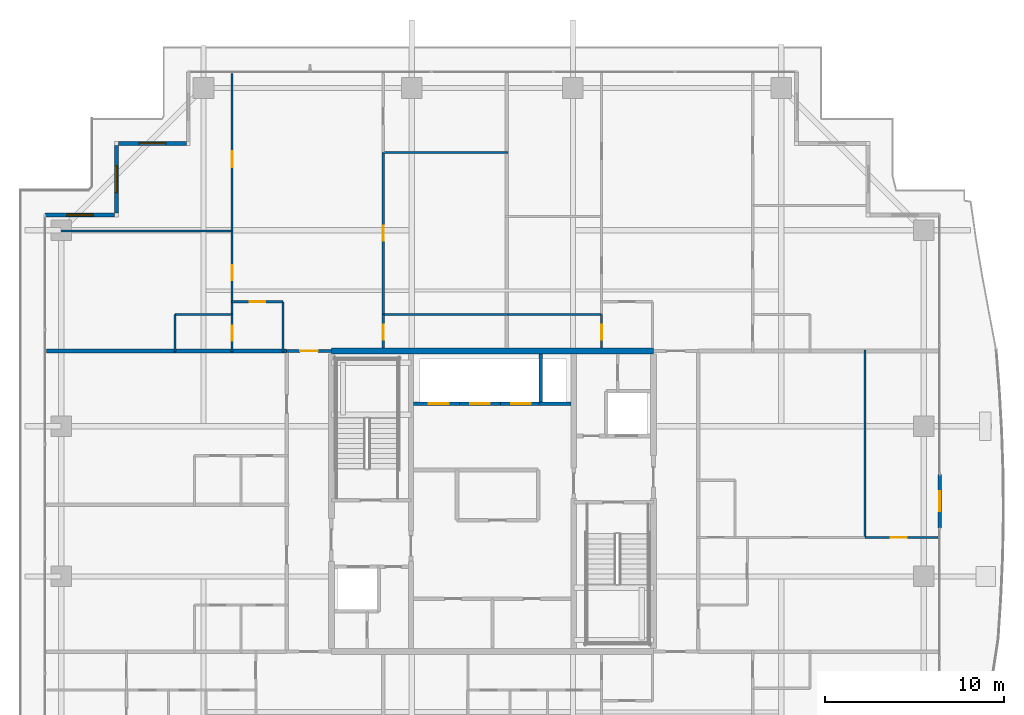
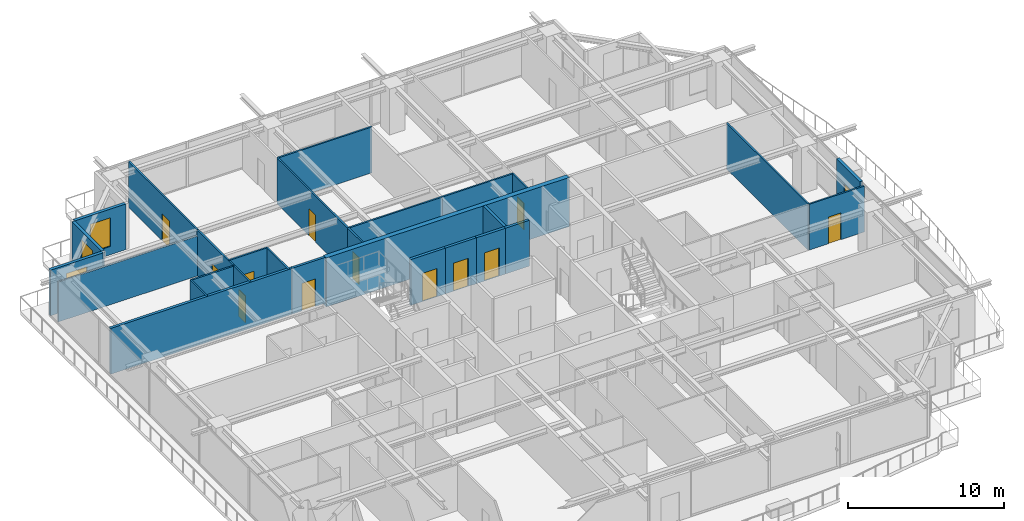
# One storey, part 29 of 37: 28 walls, 13 doors, 3 windows, 16 openings.
"""IFC4 building model written with IfcOpenShell, lengths in metres."""

from ifc_helpers import new_model, si_unit, direction, frame, frame_2d, origin, place, context, subcontext, project, spatial, rectangle, extrude, source, transform, mapped, material, layer, layer_set, type_object, element, fill, save


model = new_model("IFC4")

# Units and contexts
model_context = context("Model", 3, precision=1e-05, world=origin(), true_north=direction((0.0, 1.0)))
body_context = subcontext(model_context, "Body", "Model", "MODEL_VIEW")
ifc_project = project(units=[si_unit("LENGTHUNIT", "METRE"), si_unit("AREAUNIT", "SQUARE_METRE"), si_unit("VOLUMEUNIT", "CUBIC_METRE"), si_unit("PLANEANGLEUNIT", "RADIAN"), si_unit("MASSUNIT", "GRAM", prefix="KILO")], contexts=[model_context])

# Site, building, storey
site_placement = place(None, origin())
site = spatial("IfcSite", under=ifc_project, at=site_placement, CompositionType="ELEMENT")
building_placement = place(site_placement, origin())
building = spatial("IfcBuilding", under=site, at=building_placement, Name="Serunith Strait Residences", CompositionType="ELEMENT")
storey_placement = place(building_placement, frame((0.0, 0.0, 275.89990234375)))
storey = spatial("IfcBuildingStorey", under=building, at=storey_placement, Name="L69", CompositionType="ELEMENT", Elevation=275.89990234375)

# Wall, opening, door
ifc_material_1 = material(Name="Pale-Champagne Aluminium Insulated Panel", Category="aluminium")
ifc_layer_1 = layer(ifc_material_1, 0.219970703125, Name="Pale-Champagne Aluminium Insulated Panel")
ifc_layer_set_1 = layer_set([ifc_layer_1], Name="Pale-Champagne Aluminium Insulated Panel")
wall_type_1 = type_object("IfcWallType", Name="EW-ALUM-220", PredefinedType="ELEMENTEDWALL", material=ifc_layer_set_1)
wall_1_placement = place(storey_placement, frame((57.39990234375, 23.699951171875, 0.0), z_axis=(0.0, 0.0, 1.0), x_axis=(0.0, 1.0, 0.0)))
wall_1 = element("IfcWall", 1, at=wall_1_placement, inside=storey, type_object=wall_type_1, Name="L69 E Facade Pier Wall", PredefinedType="ELEMENTEDWALL", context=body_context, shape_type="SweptSolid", body=[
    extrude(rectangle(XDim=3.0, YDim=0.219970703125, at=frame_2d((1.5, 0.0))), origin(), (0.0, 0.0, 1.0), 3.5751953125),
])
opening_1_placement = place(wall_1_placement, frame((0.949951171875, 0.0, 0.0)))
opening_1 = element("IfcOpeningElement", 2, at=opening_1_placement, cuts=wall_1, Name="Opening ED-03", PredefinedType="OPENING", context=body_context, shape_type="SweptSolid", body=[
    extrude(rectangle(XDim=1.10009765625, YDim=2.199951171875, at=frame_2d((0.550048828125, 1.10009765625))), frame((0.0, 0.1201171875, 0.0), z_axis=(0.0, -1.0, 0.0), x_axis=(1.0, 0.0, 0.0)), (0.0, 0.0, 1.0), 0.239990234375),
])
ifc_material_2 = material(Name="Thermally-Broken Aluminium Glazed Balcony Door", Category="aluminium")
door_type_1 = type_object("IfcDoorType", Name="ED-BALC-1100", OperationType="NOTDEFINED", PredefinedType="DOOR", material=ifc_material_2)
shared_shape_1 = source(origin(), body_context, "Body", "SweptSolid", [
    extrude(rectangle(XDim=1.10009765625, YDim=2.199951171875, at=frame_2d((0.550048828125, 1.10009765625))), frame((0.0, 0.02490234375, 0.0), z_axis=(0.0, -1.0, 0.0), x_axis=(1.0, 0.0, 0.0)), (0.0, 0.0, 1.0), 0.050048828125),
])
door_1_placement = place(opening_1_placement, origin())
door_1 = element("IfcDoor", 3, at=door_1_placement, inside=storey, type_object=door_type_1, Name="L69 E Vertical-Forest Balcony Door", OperationType="SINGLE_SWING_RIGHT", OverallHeight=2.199951171875, OverallWidth=1.10009765625, PredefinedType="DOOR", context=body_context, shape_type="MappedRepresentation", body=[
    mapped(shared_shape_1, transform((0.0, 0.0, 0.0), scale=1.0)),
])
fill(opening_1, door_1)

# Wall, opening, window
wall_2_placement = place(storey_placement, frame((15.2900390625, 45.199951171875, 0.0), z_axis=(0.0, 0.0, 1.0), x_axis=(-1.0, 0.0, 0.0)))
wall_2 = element("IfcWall", 4, at=wall_2_placement, inside=storey, type_object=wall_type_1, Name="L69 Girih Serrated Corner Wall 13", PredefinedType="ELEMENTEDWALL", context=body_context, shape_type="SweptSolid", body=[
    extrude(rectangle(XDim=3.780029296875, YDim=0.219970703125, at=frame_2d((1.89013671875, 0.0))), origin(), (0.0, 0.0, 1.0), 3.5751953125),
])
opening_2_placement = place(wall_2_placement, frame((1.139892578125, 0.0, 0.64990234375)))
opening_2 = element("IfcOpeningElement", 5, at=opening_2_placement, cuts=wall_2, Name="Opening W-05", PredefinedType="OPENING", context=body_context, shape_type="SweptSolid", body=[
    extrude(rectangle(XDim=1.5, YDim=2.25, at=frame_2d((0.75, 1.125))), frame((0.0, 0.1201171875, 0.0), z_axis=(0.0, -1.0, 0.0), x_axis=(1.0, 0.0, 0.0)), (0.0, 0.0, 1.0), 0.239990234375),
])
ifc_material_3 = material(Name="Ceramic-Fritted Operable Aluminium Window Glass", Category="aluminium")
window_type = type_object("IfcWindowType", Name="WIN-C5", PartitioningType="DOUBLE_PANEL_VERTICAL", PredefinedType="WINDOW", material=ifc_material_3)
shared_shape_2 = source(origin(), body_context, "Body", "SweptSolid", [
    extrude(rectangle(XDim=1.5, YDim=2.25, at=frame_2d((0.75, 1.125))), frame((0.0, 0.030029296875, 0.0), z_axis=(0.0, -1.0, 0.0), x_axis=(1.0, 0.0, 0.0)), (0.0, 0.0, 1.0), 0.06005859375),
])
window_1_placement = place(opening_2_placement, origin())
window_1 = element("IfcWindow", 6, at=window_1_placement, inside=storey, type_object=window_type, Name="L69 Corner Operable Fritted Window 13", OverallHeight=2.25, OverallWidth=1.5, PartitioningType="SINGLE_PANEL", PredefinedType="WINDOW", context=body_context, shape_type="MappedRepresentation", body=[
    mapped(shared_shape_2, transform((0.0, 0.0, 0.0), scale=1.0)),
])
fill(opening_2, window_1)

wall_3_placement = place(storey_placement, frame((11.39990234375, 45.090087890625, 0.0), z_axis=(0.0, 0.0, 1.0), x_axis=(0.0, -1.0, 0.0)))
wall_3 = element("IfcWall", 7, at=wall_3_placement, inside=storey, type_object=wall_type_1, Name="L69 Girih Serrated Corner Wall 14", PredefinedType="ELEMENTEDWALL", context=body_context, shape_type="SweptSolid", body=[
    extrude(rectangle(XDim=3.780029296875, YDim=0.219970703125, at=frame_2d((1.89013671875, 0.0))), origin(), (0.0, 0.0, 1.0), 3.5751953125),
])
opening_3_placement = place(wall_3_placement, frame((1.139892578125, 0.0, 0.64990234375)))
opening_3 = element("IfcOpeningElement", 8, at=opening_3_placement, cuts=wall_3, Name="Opening W-05", PredefinedType="OPENING", context=body_context, shape_type="SweptSolid", body=[
    extrude(rectangle(XDim=1.5, YDim=2.25, at=frame_2d((0.75, 1.125))), frame((0.0, 0.1201171875, 0.0), z_axis=(0.0, -1.0, 0.0), x_axis=(1.0, 0.0, 0.0)), (0.0, 0.0, 1.0), 0.239990234375),
])
window_2_placement = place(opening_3_placement, origin())
window_2 = element("IfcWindow", 9, at=window_2_placement, inside=storey, type_object=window_type, Name="L69 Corner Operable Fritted Window 14", OverallHeight=2.25, OverallWidth=1.5, PartitioningType="SINGLE_PANEL", PredefinedType="WINDOW", context=body_context, shape_type="MappedRepresentation", body=[
    mapped(shared_shape_2, transform((0.0, 0.0, 0.0), scale=1.0)),
])
fill(opening_3, window_2)

wall_4_placement = place(storey_placement, frame((11.2900390625, 41.199951171875, 0.0), z_axis=(0.0, 0.0, 1.0), x_axis=(-1.0, 0.0, 0.0)))
wall_4 = element("IfcWall", 10, at=wall_4_placement, inside=storey, type_object=wall_type_1, Name="L69 Girih Serrated Corner Wall 15", PredefinedType="ELEMENTEDWALL", context=body_context, shape_type="SweptSolid", body=[
    extrude(rectangle(XDim=3.89013671875, YDim=0.219970703125, at=frame_2d((1.945068359375, 0.0))), origin(), (0.0, 0.0, 1.0), 3.5751953125),
])
opening_4_placement = place(wall_4_placement, frame((1.195068359375, 0.0, 0.64990234375)))
opening_4 = element("IfcOpeningElement", 11, at=opening_4_placement, cuts=wall_4, Name="Opening W-05", PredefinedType="OPENING", context=body_context, shape_type="SweptSolid", body=[
    extrude(rectangle(XDim=1.5, YDim=2.25, at=frame_2d((0.75, 1.125))), frame((0.0, 0.1201171875, 0.0), z_axis=(0.0, -1.0, 0.0), x_axis=(1.0, 0.0, 0.0)), (0.0, 0.0, 1.0), 0.239990234375),
])
window_3_placement = place(opening_4_placement, origin())
window_3 = element("IfcWindow", 12, at=window_3_placement, inside=storey, type_object=window_type, Name="L69 Corner Operable Fritted Window 15", OverallHeight=2.25, OverallWidth=1.5, PartitioningType="SINGLE_PANEL", PredefinedType="WINDOW", context=body_context, shape_type="MappedRepresentation", body=[
    mapped(shared_shape_2, transform((0.0, 0.0, 0.0), scale=1.0)),
])
fill(opening_4, window_3)

# Wall, opening, door
ifc_material_4 = material(Name="Fire-rated acoustic gypsum partition")
ifc_layer_2 = layer(ifc_material_4, 0.179931640625, Name="Fire-rated acoustic gypsum partition")
ifc_layer_set_2 = layer_set([ifc_layer_2], Name="Fire-rated acoustic gypsum partition")
wall_type_2 = type_object("IfcWallType", Name="IW-CORR-180", PredefinedType="PARTITIONING", material=ifc_layer_set_2)
wall_5_placement = place(storey_placement, frame((20.902099609375, 33.60009765625, 0.0), z_axis=(0.0, 0.0, 1.0), x_axis=(1.0, 0.0, 0.0)))
wall_5 = element("IfcWall", 13, at=wall_5_placement, inside=storey, type_object=wall_type_2, Name="L69 Partition Wall 028", PredefinedType="PARTITIONING", context=body_context, shape_type="SweptSolid", body=[
    extrude(rectangle(XDim=2.495849609375, YDim=0.179931640625, at=frame_2d((1.248046875, 0.0))), origin(), (0.0, 0.0, 1.0), 3.590087890625),
])
opening_5_placement = place(wall_5_placement, frame((0.748046875, 0.0, 0.0)))
opening_5 = element("IfcOpeningElement", 14, at=opening_5_placement, cuts=wall_5, Name="Opening D-APT1000", PredefinedType="OPENING", context=body_context, shape_type="SweptSolid", body=[
    extrude(rectangle(XDim=1.0, YDim=2.14990234375, at=frame_2d((0.5, 1.074951171875))), frame((0.0, 0.10009765625, 0.0), z_axis=(0.0, -1.0, 0.0), x_axis=(1.0, 0.0, 0.0)), (0.0, 0.0, 1.0), 0.199951171875),
])
ifc_material_5 = material(Name="Solid timber engineered fire door", Category="wood")
door_type_2 = type_object("IfcDoorType", Name="ID-APT-1000", OperationType="NOTDEFINED", PredefinedType="DOOR", material=ifc_material_5)
shared_shape_3 = source(origin(), body_context, "Body", "SweptSolid", [
    extrude(rectangle(XDim=1.0, YDim=2.14990234375, at=frame_2d((0.5, 1.074951171875))), frame((0.0, 0.02490234375, 0.0), z_axis=(0.0, -1.0, 0.0), x_axis=(1.0, 0.0, 0.0)), (0.0, 0.0, 1.0), 0.050048828125),
])
door_2_placement = place(opening_5_placement, origin())
door_2 = element("IfcDoor", 15, at=door_2_placement, inside=storey, type_object=door_type_2, Name="L69 Unit 03 Entrance Door", OperationType="SINGLE_SWING_RIGHT", OverallHeight=2.14990234375, OverallWidth=1.0, PredefinedType="DOOR", context=body_context, shape_type="MappedRepresentation", body=[
    mapped(shared_shape_3, transform((0.0, 0.0, 0.0), scale=1.0)),
])
fill(opening_5, door_2)

ifc_material_6 = material(Name="Lightweight steel-stud gypsum partition", Category="steel")
ifc_layer_3 = layer(ifc_material_6, 0.1201171875, Name="Lightweight steel-stud gypsum partition")
ifc_layer_set_3 = layer_set([ifc_layer_3], Name="Lightweight steel-stud gypsum partition")
wall_type_3 = type_object("IfcWallType", Name="IW-PART-120", PredefinedType="PARTITIONING", material=ifc_layer_set_3)
wall_6_placement = place(storey_placement, frame((17.85009765625, 36.35009765625, 0.0), z_axis=(0.0, 0.0, 1.0), x_axis=(1.0, 0.0, 0.0)))
wall_6 = element("IfcWall", 16, at=wall_6_placement, inside=storey, type_object=wall_type_3, Name="L69 Partition Wall 068", PredefinedType="PARTITIONING", context=body_context, shape_type="SweptSolid", body=[
    extrude(rectangle(XDim=2.849853515625, YDim=0.1201171875, at=frame_2d((1.4248046875, 0.0))), origin(), (0.0, 0.0, 1.0), 3.590087890625),
])
opening_6_placement = place(wall_6_placement, frame((1.0, 0.0, 0.0)))
opening_6 = element("IfcOpeningElement", 17, at=opening_6_placement, cuts=wall_6, Name="Opening D-RM850", PredefinedType="OPENING", context=body_context, shape_type="SweptSolid", body=[
    extrude(rectangle(XDim=0.85009765625, YDim=2.10009765625, at=frame_2d((0.425048828125, 1.050048828125))), frame((0.0, 0.070068359375, 0.0), z_axis=(0.0, -1.0, 0.0), x_axis=(1.0, 0.0, 0.0)), (0.0, 0.0, 1.0), 0.14013671875),
])
ifc_material_7 = material(Name="Engineered timber flush study and kitchen door", Category="wood")
door_type_3 = type_object("IfcDoorType", Name="ID-ROOM-850", OperationType="NOTDEFINED", PredefinedType="DOOR", material=ifc_material_7)
shared_shape_4 = source(origin(), body_context, "Body", "SweptSolid", [
    extrude(rectangle(XDim=0.85009765625, YDim=2.10009765625, at=frame_2d((0.425048828125, 1.050048828125))), frame((0.0, 0.02490234375, 0.0), z_axis=(0.0, -1.0, 0.0), x_axis=(1.0, 0.0, 0.0)), (0.0, 0.0, 1.0), 0.050048828125),
])
door_3_placement = place(opening_6_placement, origin())
door_3 = element("IfcDoor", 18, at=door_3_placement, inside=storey, type_object=door_type_3, Name="L69 Kitchen 6903 Door", OperationType="SINGLE_SWING_RIGHT", OverallHeight=2.10009765625, OverallWidth=0.85009765625, PredefinedType="DOOR", context=body_context, shape_type="MappedRepresentation", body=[
    mapped(shared_shape_4, transform((0.0, 0.0, 0.0), scale=1.0)),
])
fill(opening_6, door_3)

# Wall
wall_7_placement = place(storey_placement, frame((20.699951171875, 36.35009765625, 0.0), z_axis=(0.0, 0.0, 1.0), x_axis=(0.0, -1.0, 0.0)))
element("IfcWall", 19, at=wall_7_placement, inside=storey, type_object=wall_type_3, Name="L69 Partition Wall 069", PredefinedType="PARTITIONING", context=body_context, shape_type="SweptSolid", body=[
    extrude(rectangle(XDim=2.81005859375, YDim=0.1201171875, at=frame_2d((1.405029296875, 0.0))), origin(), (0.0, 0.0, 1.0), 3.590087890625),
])

# Wall, opening, door
wall_8_placement = place(storey_placement, frame((17.85009765625, 49.10498046875, 0.0), z_axis=(0.0, 0.0, 1.0), x_axis=(0.0, -1.0, 0.0)))
wall_8 = element("IfcWall", 20, at=wall_8_placement, inside=storey, type_object=wall_type_3, Name="L69 Partition Wall 070", PredefinedType="PARTITIONING", context=body_context, shape_type="SweptSolid", body=[
    extrude(rectangle(XDim=8.799072265625, YDim=0.1201171875, at=frame_2d((4.3994140625, 0.0))), origin(), (0.0, 0.0, 1.0), 3.590087890625),
])
opening_7_placement = place(wall_8_placement, frame((4.343994140625, 0.0, 0.0)))
opening_7 = element("IfcOpeningElement", 21, at=opening_7_placement, cuts=wall_8, Name="Opening D-RM900", PredefinedType="OPENING", context=body_context, shape_type="SweptSolid", body=[
    extrude(rectangle(XDim=0.89990234375, YDim=2.10009765625, at=frame_2d((0.449951171875, 1.050048828125))), frame((0.0, 0.070068359375, 0.0), z_axis=(0.0, -1.0, 0.0), x_axis=(1.0, 0.0, 0.0)), (0.0, 0.0, 1.0), 0.14013671875),
])
ifc_material_8 = material(Name="Engineered timber flush bedroom door", Category="wood")
door_type_4 = type_object("IfcDoorType", Name="ID-ROOM-900", OperationType="NOTDEFINED", PredefinedType="DOOR", material=ifc_material_8)
shared_shape_5 = source(origin(), body_context, "Body", "SweptSolid", [
    extrude(rectangle(XDim=0.89990234375, YDim=2.10009765625, at=frame_2d((0.449951171875, 1.050048828125))), frame((0.0, 0.02490234375, 0.0), z_axis=(0.0, -1.0, 0.0), x_axis=(1.0, 0.0, 0.0)), (0.0, 0.0, 1.0), 0.050048828125),
])
door_4_placement = place(opening_7_placement, origin())
door_4 = element("IfcDoor", 22, at=door_4_placement, inside=storey, type_object=door_type_4, Name="L69 Master Bedroom 1 6903 Door", OperationType="SINGLE_SWING_LEFT", OverallHeight=2.10009765625, OverallWidth=0.89990234375, PredefinedType="DOOR", context=body_context, shape_type="MappedRepresentation", body=[
    mapped(shared_shape_5, transform((0.0, 0.0, 0.0), scale=1.0)),
])
fill(opening_7, door_4)

# Walls
wall_9_placement = place(storey_placement, frame((7.4951171875, 40.305908203125, 0.0), z_axis=(0.0, 0.0, 1.0), x_axis=(1.0, 0.0, 0.0)))
element("IfcWall", 23, at=wall_9_placement, inside=storey, type_object=wall_type_3, Name="L69 Partition Wall 071", PredefinedType="PARTITIONING", context=body_context, shape_type="SweptSolid", body=[
    extrude(rectangle(XDim=10.35498046875, YDim=0.1201171875, at=frame_2d((5.177490234375, 0.0))), origin(), (0.0, 0.0, 1.0), 3.1220703125),
])
wall_10_placement = place(storey_placement, frame((14.64990234375, 35.64990234375, 0.0), z_axis=(0.0, 0.0, 1.0), x_axis=(1.0, 0.0, 0.0)))
element("IfcWall", 24, at=wall_10_placement, inside=storey, type_object=wall_type_3, Name="L69 Partition Wall 072", PredefinedType="PARTITIONING", context=body_context, shape_type="SweptSolid", body=[
    extrude(rectangle(XDim=3.2001953125, YDim=0.1201171875, at=frame_2d((1.60009765625, 0.0))), origin(), (0.0, 0.0, 1.0), 3.590087890625),
])
wall_11_placement = place(storey_placement, frame((14.64990234375, 35.64990234375, 0.0), z_axis=(0.0, 0.0, 1.0), x_axis=(0.0, -1.0, 0.0)))
element("IfcWall", 25, at=wall_11_placement, inside=storey, type_object=wall_type_3, Name="L69 Partition Wall 073", PredefinedType="PARTITIONING", context=body_context, shape_type="SweptSolid", body=[
    extrude(rectangle(XDim=2.10986328125, YDim=0.1201171875, at=frame_2d((1.054931640625, 0.0))), origin(), (0.0, 0.0, 1.0), 3.590087890625),
])

# Wall, opening, door
wall_12_placement = place(storey_placement, frame((17.85009765625, 40.303955078125, 0.0), z_axis=(0.0, 0.0, 1.0), x_axis=(0.0, -1.0, 0.0)))
wall_12 = element("IfcWall", 26, at=wall_12_placement, inside=storey, type_object=wall_type_3, Name="L69 Partition Wall 074", PredefinedType="PARTITIONING", context=body_context, shape_type="SweptSolid", body=[
    extrude(rectangle(XDim=4.654052734375, YDim=0.1201171875, at=frame_2d((2.3271484375, 0.0))), origin(), (0.0, 0.0, 1.0), 3.590087890625),
])
opening_8_placement = place(wall_12_placement, frame((1.902099609375, 0.0, 0.0)))
opening_8 = element("IfcOpeningElement", 27, at=opening_8_placement, cuts=wall_12, Name="Opening D-RM850", PredefinedType="OPENING", context=body_context, shape_type="SweptSolid", body=[
    extrude(rectangle(XDim=0.85009765625, YDim=2.10009765625, at=frame_2d((0.425048828125, 1.050048828125))), frame((0.0, 0.070068359375, 0.0), z_axis=(0.0, -1.0, 0.0), x_axis=(1.0, 0.0, 0.0)), (0.0, 0.0, 1.0), 0.14013671875),
])
door_5_placement = place(opening_8_placement, origin())
door_5 = element("IfcDoor", 28, at=door_5_placement, inside=storey, type_object=door_type_3, Name="L69 Walk-in Wardrobe 6903 Door", OperationType="SINGLE_SWING_RIGHT", OverallHeight=2.10009765625, OverallWidth=0.85009765625, PredefinedType="DOOR", context=body_context, shape_type="MappedRepresentation", body=[
    mapped(shared_shape_4, transform((0.0, 0.0, 0.0), scale=1.0)),
])
fill(opening_8, door_5)

wall_13_placement = place(storey_placement, frame((17.85009765625, 35.64794921875, 0.0), z_axis=(0.0, 0.0, 1.0), x_axis=(0.0, -1.0, 0.0)))
wall_13 = element("IfcWall", 29, at=wall_13_placement, inside=storey, type_object=wall_type_3, Name="L69 Partition Wall 075", PredefinedType="PARTITIONING", context=body_context, shape_type="SweptSolid", body=[
    extrude(rectangle(XDim=2.10791015625, YDim=0.1201171875, at=frame_2d((1.053955078125, 0.0))), origin(), (0.0, 0.0, 1.0), 3.590087890625),
])
opening_9_placement = place(wall_13_placement, frame((0.62890625, 0.0, 0.0)))
opening_9 = element("IfcOpeningElement", 30, at=opening_9_placement, cuts=wall_13, Name="Opening D-BTH850", PredefinedType="OPENING", context=body_context, shape_type="SweptSolid", body=[
    extrude(rectangle(XDim=0.85009765625, YDim=2.10009765625, at=frame_2d((0.425048828125, 1.050048828125))), frame((0.0, 0.070068359375, 0.0), z_axis=(0.0, -1.0, 0.0), x_axis=(1.0, 0.0, 0.0)), (0.0, 0.0, 1.0), 0.14013671875),
])
ifc_material_9 = material(Name="Moisture-resistant timber bathroom door", Category="wood")
door_type_5 = type_object("IfcDoorType", Name="ID-BATH-850", OperationType="NOTDEFINED", PredefinedType="DOOR", material=ifc_material_9)
door_6_placement = place(opening_9_placement, origin())
door_6 = element("IfcDoor", 31, at=door_6_placement, inside=storey, type_object=door_type_5, Name="L69 Bathroom 6903 Door", OperationType="SINGLE_SWING_LEFT", OverallHeight=2.10009765625, OverallWidth=0.85009765625, PredefinedType="DOOR", context=body_context, shape_type="MappedRepresentation", body=[
    mapped(shared_shape_4, transform((0.0, 0.0, 0.0), scale=1.0)),
])
fill(opening_9, door_6)

# Walls
for number, where, z_axis, x_axis, name in (
    (32, (26.300048828125, 44.7041015625, 0.0), (0.0, 0.0, 1.0), (1.0, 0.0, 0.0), "L69 Partition Wall 077"),
    (33, (26.300048828125, 35.64990234375, 0.0), (0.0, 0.0, 1.0), (1.0, 0.0, 0.0), "L69 Partition Wall 078"),
):
    element("IfcWall", number, at=place(storey_placement, frame(where, z_axis=z_axis, x_axis=x_axis)), inside=storey, type_object=wall_type_3, Name=name, PredefinedType="PARTITIONING", context=body_context, shape_type="SweptSolid", body=[
        extrude(rectangle(XDim=6.9599609375, YDim=0.1201171875, at=frame_2d((3.47998046875, 0.0))), origin(), (0.0, 0.0, 1.0), 3.590087890625),
    ])

# Wall, opening, door
wall_14_placement = place(storey_placement, frame((26.300048828125, 44.701904296875, 0.0), z_axis=(0.0, 0.0, 1.0), x_axis=(0.0, -1.0, 0.0)))
wall_14 = element("IfcWall", 34, at=wall_14_placement, inside=storey, type_object=wall_type_3, Name="L69 Partition Wall 079", PredefinedType="PARTITIONING", context=body_context, shape_type="SweptSolid", body=[
    extrude(rectangle(XDim=9.052001953125, YDim=0.1201171875, at=frame_2d((4.52587890625, 0.0))), origin(), (0.0, 0.0, 1.0), 3.590087890625),
])
opening_10_placement = place(wall_14_placement, frame((4.10107421875, 0.0, 0.0)))
opening_10 = element("IfcOpeningElement", 35, at=opening_10_placement, cuts=wall_14, Name="Opening D-RM850", PredefinedType="OPENING", context=body_context, shape_type="SweptSolid", body=[
    extrude(rectangle(XDim=0.85009765625, YDim=2.10009765625, at=frame_2d((0.425048828125, 1.050048828125))), frame((0.0, 0.070068359375, 0.0), z_axis=(0.0, -1.0, 0.0), x_axis=(1.0, 0.0, 0.0)), (0.0, 0.0, 1.0), 0.14013671875),
])
door_7_placement = place(opening_10_placement, origin())
door_7 = element("IfcDoor", 36, at=door_7_placement, inside=storey, type_object=door_type_3, Name="L69 Walk-in Wardrobe 6903 Door", OperationType="SINGLE_SWING_LEFT", OverallHeight=2.10009765625, OverallWidth=0.85009765625, PredefinedType="DOOR", context=body_context, shape_type="MappedRepresentation", body=[
    mapped(shared_shape_4, transform((0.0, 0.0, 0.0), scale=1.0)),
])
fill(opening_10, door_7)

wall_15_placement = place(storey_placement, frame((26.300048828125, 35.64794921875, 0.0), z_axis=(0.0, 0.0, 1.0), x_axis=(0.0, -1.0, 0.0)))
wall_15 = element("IfcWall", 37, at=wall_15_placement, inside=storey, type_object=wall_type_3, Name="L69 Partition Wall 080", PredefinedType="PARTITIONING", context=body_context, shape_type="SweptSolid", body=[
    extrude(rectangle(XDim=1.873046875, YDim=0.1201171875, at=frame_2d((0.9365234375, 0.0))), origin(), (0.0, 0.0, 1.0), 3.590087890625),
])
opening_11_placement = place(wall_15_placement, frame((0.574951171875, 0.0, 0.0)))
opening_11 = element("IfcOpeningElement", 38, at=opening_11_placement, cuts=wall_15, Name="Opening D-BTH850", PredefinedType="OPENING", context=body_context, shape_type="SweptSolid", body=[
    extrude(rectangle(XDim=0.85009765625, YDim=2.10009765625, at=frame_2d((0.425048828125, 1.050048828125))), frame((0.0, 0.070068359375, 0.0), z_axis=(0.0, -1.0, 0.0), x_axis=(1.0, 0.0, 0.0)), (0.0, 0.0, 1.0), 0.14013671875),
])
door_8_placement = place(opening_11_placement, origin())
door_8 = element("IfcDoor", 39, at=door_8_placement, inside=storey, type_object=door_type_5, Name="L69 Bathroom 6903 Door", OperationType="SINGLE_SWING_RIGHT", OverallHeight=2.10009765625, OverallWidth=0.85009765625, PredefinedType="DOOR", context=body_context, shape_type="MappedRepresentation", body=[
    mapped(shared_shape_4, transform((0.0, 0.0, 0.0), scale=1.0)),
])
fill(opening_11, door_8)

# Wall
wall_16_placement = place(storey_placement, frame((33.261962890625, 35.64990234375, 0.0), z_axis=(0.0, 0.0, 1.0), x_axis=(1.0, 0.0, 0.0)))
element("IfcWall", 40, at=wall_16_placement, inside=storey, type_object=wall_type_3, Name="L69 Partition Wall 085", PredefinedType="PARTITIONING", context=body_context, shape_type="SweptSolid", body=[
    extrude(rectangle(XDim=5.238037109375, YDim=0.1201171875, at=frame_2d((2.619140625, 0.0))), origin(), (0.0, 0.0, 1.0), 3.590087890625),
])

# Wall, opening, door
wall_17_placement = place(storey_placement, frame((38.5, 35.64794921875, 0.0), z_axis=(0.0, 0.0, 1.0), x_axis=(0.0, -1.0, 0.0)))
wall_17 = element("IfcWall", 41, at=wall_17_placement, inside=storey, type_object=wall_type_3, Name="L69 Partition Wall 087", PredefinedType="PARTITIONING", context=body_context, shape_type="SweptSolid", body=[
    extrude(rectangle(XDim=1.873046875, YDim=0.1201171875, at=frame_2d((0.9365234375, 0.0))), origin(), (0.0, 0.0, 1.0), 3.590087890625),
])
opening_12_placement = place(wall_17_placement, frame((0.574951171875, 0.0, 0.0)))
opening_12 = element("IfcOpeningElement", 42, at=opening_12_placement, cuts=wall_17, Name="Opening D-BTH850", PredefinedType="OPENING", context=body_context, shape_type="SweptSolid", body=[
    extrude(rectangle(XDim=0.85009765625, YDim=2.10009765625, at=frame_2d((0.425048828125, 1.050048828125))), frame((0.0, 0.070068359375, 0.0), z_axis=(0.0, -1.0, 0.0), x_axis=(1.0, 0.0, 0.0)), (0.0, 0.0, 1.0), 0.14013671875),
])
door_9_placement = place(opening_12_placement, origin())
door_9 = element("IfcDoor", 43, at=door_9_placement, inside=storey, type_object=door_type_5, Name="L69 Bathroom 6904 Door", OperationType="SINGLE_SWING_RIGHT", OverallHeight=2.10009765625, OverallWidth=0.85009765625, PredefinedType="DOOR", context=body_context, shape_type="MappedRepresentation", body=[
    mapped(shared_shape_4, transform((0.0, 0.0, 0.0), scale=1.0)),
])
fill(opening_12, door_9)

wall_18_placement = place(storey_placement, frame((57.304931640625, 23.179931640625, 0.0), z_axis=(0.0, 0.0, 1.0), x_axis=(-1.0, 0.0, 0.0)))
wall_18 = element("IfcWall", 44, at=wall_18_placement, inside=storey, type_object=wall_type_3, Name="L69 Partition Wall 104", PredefinedType="PARTITIONING", context=body_context, shape_type="SweptSolid", body=[
    extrude(rectangle(XDim=4.0888671875, YDim=0.1201171875, at=frame_2d((2.04443359375, 0.0))), origin(), (0.0, 0.0, 1.0), 3.590087890625),
])
opening_13_placement = place(wall_18_placement, frame((1.75390625, 0.0, 0.0)))
opening_13 = element("IfcOpeningElement", 45, at=opening_13_placement, cuts=wall_18, Name="Opening D-RM900", PredefinedType="OPENING", context=body_context, shape_type="SweptSolid", body=[
    extrude(rectangle(XDim=0.89990234375, YDim=2.10009765625, at=frame_2d((0.449951171875, 1.050048828125))), frame((0.0, 0.070068359375, 0.0), z_axis=(0.0, -1.0, 0.0), x_axis=(1.0, 0.0, 0.0)), (0.0, 0.0, 1.0), 0.14013671875),
])
door_10_placement = place(opening_13_placement, origin())
door_10 = element("IfcDoor", 46, at=door_10_placement, inside=storey, type_object=door_type_4, Name="L69 Master Bedroom 1 6907 Door", OperationType="SINGLE_SWING_LEFT", OverallHeight=2.10009765625, OverallWidth=0.89990234375, PredefinedType="DOOR", context=body_context, shape_type="MappedRepresentation", body=[
    mapped(shared_shape_5, transform((0.0, 0.0, 0.0), scale=1.0)),
])
fill(opening_13, door_10)

# Walls
wall_19_placement = place(storey_placement, frame((53.216064453125, 23.179931640625, 0.0), z_axis=(0.0, 0.0, 1.0), x_axis=(0.0, 1.0, 0.0)))
element("IfcWall", 47, at=wall_19_placement, inside=storey, type_object=wall_type_3, Name="L69 Partition Wall 105", PredefinedType="PARTITIONING", context=body_context, shape_type="SweptSolid", body=[
    extrude(rectangle(XDim=10.47998046875, YDim=0.1201171875, at=frame_2d((5.239990234375, 0.0))), origin(), (0.0, 0.0, 1.0), 3.590087890625),
])
ifc_material_10 = material(Name="Twin-stud acoustic gypsum board partition")
ifc_layer_4 = layer(ifc_material_10, 0.199951171875, Name="Twin-stud acoustic gypsum board partition")
ifc_layer_set_4 = layer_set([ifc_layer_4], Name="Twin-stud acoustic gypsum board partition")
wall_type_4 = type_object("IfcWallType", Name="IW-PARTY-200", PredefinedType="PARTITIONING", material=ifc_layer_set_4)
wall_20_placement = place(storey_placement, frame((7.48193359375, 33.60009765625, 0.0), z_axis=(0.0, 0.0, 1.0), x_axis=(1.0, 0.0, 0.0)))
element("IfcWall", 48, at=wall_20_placement, inside=storey, type_object=wall_type_4, Name="L69 Partition Wall 025", PredefinedType="PARTITIONING", context=body_context, shape_type="SweptSolid", body=[
    extrude(rectangle(XDim=13.41796875, YDim=0.199951171875, at=frame_2d((6.708984375, 0.0))), origin(), (0.0, 0.0, 1.0), 3.590087890625),
])

# Wall, opening, door
ifc_material_11 = material(Name="Autoclaved aerated concrete blockwork", Category="masonry")
ifc_layer_5 = layer(ifc_material_11, 0.199951171875, Name="Autoclaved aerated concrete blockwork")
ifc_layer_set_5 = layer_set([ifc_layer_5], Name="Autoclaved aerated concrete blockwork")
wall_type_5 = type_object("IfcWallType", Name="IW-SHAFT-200", PredefinedType="STANDARD", material=ifc_layer_set_5)
wall_21_placement = place(storey_placement, frame((28.0, 30.64990234375, 0.0), z_axis=(0.0, 0.0, 1.0), x_axis=(1.0, 0.0, 0.0)))
wall_21 = element("IfcWall", 49, at=wall_21_placement, inside=storey, type_object=wall_type_5, Name="L69 PL-7 South Shaft Wall", PredefinedType="STANDARD", context=body_context, shape_type="SweptSolid", body=[
    extrude(rectangle(XDim=2.550048828125, YDim=0.199951171875, at=frame_2d((1.27490234375, 0.0))), origin(), (0.0, 0.0, 1.0), 3.590087890625),
])
opening_14_placement = place(wall_21_placement, frame((0.85009765625, 0.0, 0.0)))
opening_14 = element("IfcOpeningElement", 50, at=opening_14_placement, cuts=wall_21, Name="Opening LD-1100", PredefinedType="OPENING", context=body_context, shape_type="SweptSolid", body=[
    extrude(rectangle(XDim=1.10009765625, YDim=2.199951171875, at=frame_2d((0.550048828125, 1.10009765625))), frame((0.0, 0.10986328125, 0.0), z_axis=(0.0, -1.0, 0.0), x_axis=(1.0, 0.0, 0.0)), (0.0, 0.0, 1.0), 0.219970703125),
])
ifc_material_12 = material(Name="Pale-champagne stainless landing door")
door_type_6 = type_object("IfcDoorType", Name="LD-LIFT-1100", OperationType="DOUBLE_DOOR_SLIDING", PredefinedType="DOOR", material=ifc_material_12)
door_11_placement = place(opening_14_placement, origin())
door_11 = element("IfcDoor", 51, at=door_11_placement, inside=storey, type_object=door_type_6, Name="L69 PL-7 Landing Door", OperationType="DOUBLE_DOOR_SLIDING", OverallHeight=2.199951171875, OverallWidth=1.10009765625, PredefinedType="DOOR", context=body_context, shape_type="MappedRepresentation", body=[
    mapped(shared_shape_1, transform((0.0, 0.0, 0.0), scale=1.0)),
])
fill(opening_14, door_11)

wall_22_placement = place(storey_placement, frame((30.550048828125, 30.64990234375, 0.0), z_axis=(0.0, 0.0, 1.0), x_axis=(1.0, 0.0, 0.0)))
wall_22 = element("IfcWall", 52, at=wall_22_placement, inside=storey, type_object=wall_type_5, Name="L69 PL-8 South Shaft Wall", PredefinedType="STANDARD", context=body_context, shape_type="SweptSolid", body=[
    extrude(rectangle(XDim=2.300048828125, YDim=0.199951171875, at=frame_2d((1.14990234375, 0.0))), origin(), (0.0, 0.0, 1.0), 3.590087890625),
])
opening_15_placement = place(wall_22_placement, frame((0.60009765625, 0.0, 0.0)))
opening_15 = element("IfcOpeningElement", 53, at=opening_15_placement, cuts=wall_22, Name="Opening LD-1100", PredefinedType="OPENING", context=body_context, shape_type="SweptSolid", body=[
    extrude(rectangle(XDim=1.10009765625, YDim=2.199951171875, at=frame_2d((0.550048828125, 1.10009765625))), frame((0.0, 0.10986328125, 0.0), z_axis=(0.0, -1.0, 0.0), x_axis=(1.0, 0.0, 0.0)), (0.0, 0.0, 1.0), 0.219970703125),
])
door_12_placement = place(opening_15_placement, origin())
door_12 = element("IfcDoor", 54, at=door_12_placement, inside=storey, type_object=door_type_6, Name="L69 PL-8 Landing Door", OperationType="DOUBLE_DOOR_SLIDING", OverallHeight=2.199951171875, OverallWidth=1.10009765625, PredefinedType="DOOR", context=body_context, shape_type="MappedRepresentation", body=[
    mapped(shared_shape_1, transform((0.0, 0.0, 0.0), scale=1.0)),
])
fill(opening_15, door_12)

wall_23_placement = place(storey_placement, frame((32.85009765625, 30.64990234375, 0.0), z_axis=(0.0, 0.0, 1.0), x_axis=(1.0, 0.0, 0.0)))
wall_23 = element("IfcWall", 55, at=wall_23_placement, inside=storey, type_object=wall_type_5, Name="L69 PL-9 South Shaft Wall", PredefinedType="STANDARD", context=body_context, shape_type="SweptSolid", body=[
    extrude(rectangle(XDim=2.14990234375, YDim=0.199951171875, at=frame_2d((1.074951171875, 0.0))), origin(), (0.0, 0.0, 1.0), 3.590087890625),
])
opening_16_placement = place(wall_23_placement, frame((0.60009765625, 0.0, 0.0)))
opening_16 = element("IfcOpeningElement", 56, at=opening_16_placement, cuts=wall_23, Name="Opening LD-1100", PredefinedType="OPENING", context=body_context, shape_type="SweptSolid", body=[
    extrude(rectangle(XDim=1.10009765625, YDim=2.199951171875, at=frame_2d((0.550048828125, 1.10009765625))), frame((0.0, 0.10986328125, 0.0), z_axis=(0.0, -1.0, 0.0), x_axis=(1.0, 0.0, 0.0)), (0.0, 0.0, 1.0), 0.219970703125),
])
door_13_placement = place(opening_16_placement, origin())
door_13 = element("IfcDoor", 57, at=door_13_placement, inside=storey, type_object=door_type_6, Name="L69 PL-9 Landing Door", OperationType="DOUBLE_DOOR_SLIDING", OverallHeight=2.199951171875, OverallWidth=1.10009765625, PredefinedType="DOOR", context=body_context, shape_type="MappedRepresentation", body=[
    mapped(shared_shape_1, transform((0.0, 0.0, 0.0), scale=1.0)),
])
fill(opening_16, door_13)

# Walls
wall_24_placement = place(storey_placement, frame((35.0, 30.64990234375, 0.0), z_axis=(0.0, 0.0, 1.0), x_axis=(1.0, 0.0, 0.0)))
element("IfcWall", 58, at=wall_24_placement, inside=storey, type_object=wall_type_5, Name="L69 SL-1 South Shaft Wall", PredefinedType="STANDARD", context=body_context, shape_type="SweptSolid", body=[
    extrude(rectangle(XDim=1.800048828125, YDim=0.199951171875, at=frame_2d((0.89990234375, 0.0))), origin(), (0.0, 0.0, 1.0), 3.590087890625),
])
wall_25_placement = place(storey_placement, frame((35.10009765625, 30.75, 0.0), z_axis=(0.0, 0.0, 1.0), x_axis=(0.0, 1.0, 0.0)))
element("IfcWall", 59, at=wall_25_placement, inside=storey, type_object=wall_type_5, Name="L69 SL-1 West Shaft Wall", PredefinedType="STANDARD", context=body_context, shape_type="SweptSolid", body=[
    extrude(rectangle(XDim=2.675048828125, YDim=0.199951171875, at=frame_2d((1.33740234375, 0.0))), origin(), (0.0, 0.0, 1.0), 3.590087890625),
])
ifc_material_13 = material(Name="Concrete C60/75", Category="concrete")
ifc_layer_6 = layer(ifc_material_13, 0.35009765625, Name="Concrete C60/75")
ifc_layer_set_6 = layer_set([ifc_layer_6], Name="Concrete C60/75")
wall_type_6 = type_object("IfcWallType", Name="SW-350-C60", PredefinedType="SHEAR", material=ifc_layer_set_6)
wall_26_placement = place(storey_placement, frame((41.39990234375, 33.60009765625, -0.260009765625), z_axis=(0.0, 0.0, 1.0), x_axis=(-1.0, 0.0, 0.0)))
element("IfcWall", 60, at=wall_26_placement, inside=storey, type_object=wall_type_6, Name="L69 Core North Shear Wall", PredefinedType="SHEAR", context=body_context, shape_type="SweptSolid", body=[
    extrude(rectangle(XDim=18.0, YDim=0.35009765625, at=frame_2d((9.0, 0.0))), origin(), (0.0, 0.0, 1.0), 3.84814453125),
])

save(model, "model.ifc")
